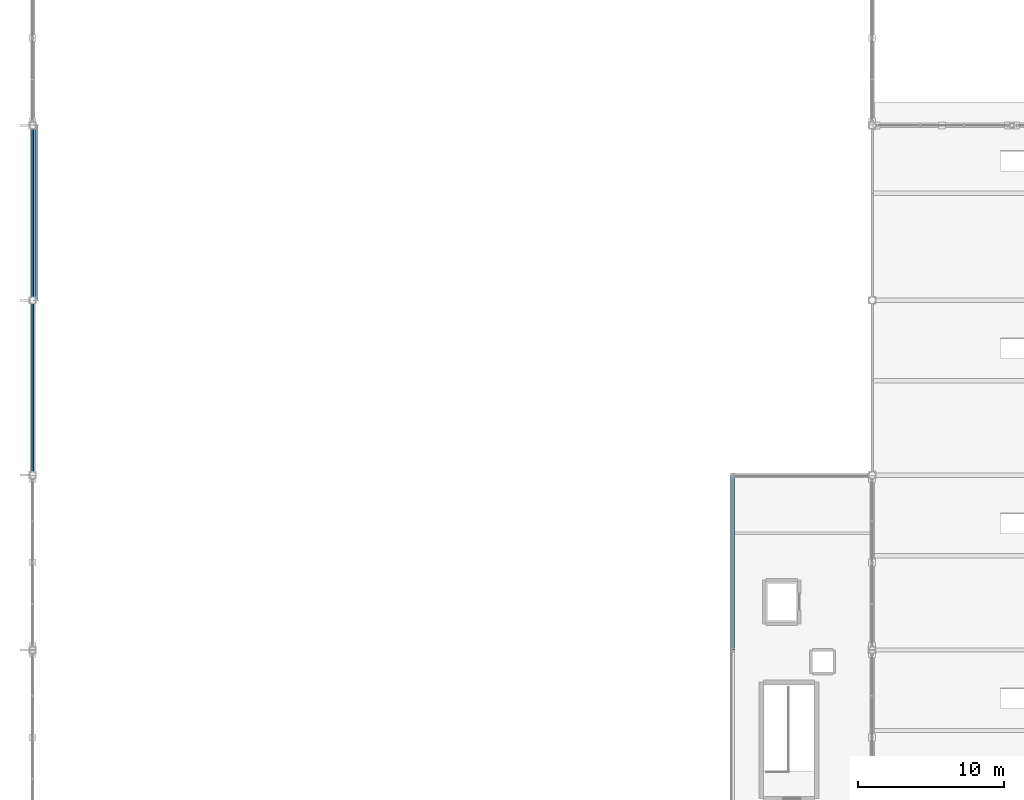
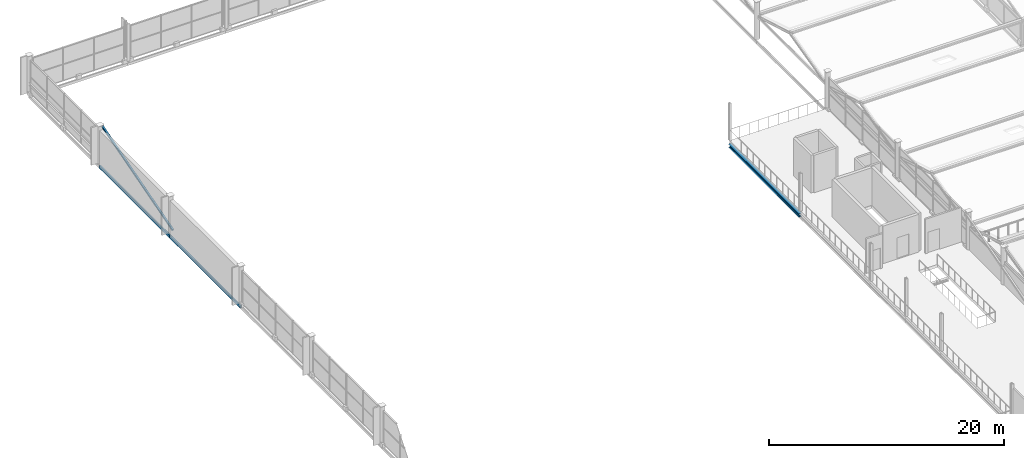
# One storey, part 53 of 117: 3 beams, 1 member.
"""IFC4 building model written with IfcOpenShell, lengths in metres."""

import ifcopenshell
import ifcopenshell.guid

model = None  # the IFC model being written
_history = None  # IfcOwnerHistory: only IFC2X3 demands one
_inside = {}  # id of a spatial element -> (the spatial element, [elements in it])
_under = {}  # id of a project, library or spatial element -> (it, [spatial elements below it])
_declared = {}  # id of a project -> (the project, [libraries it declares])
_typed = {}  # id of a type object -> (the type object, [elements of that type])
_made_of = {}  # id of a material, layer set ... -> (it, [elements and type objects made of it])


def new_model(schema):
    """Start an empty IFC model of exactly this schema.

    Asked for "IFC4X3", IfcOpenShell would pick the latest addendum, in which some entities
    have other attributes; the version numbers below select the first issue.
    IFC2X3 requires an IfcOwnerHistory on every rooted entity: one is made here for all.
    """
    global model, _history
    if schema == "IFC4X3":
        model = ifcopenshell.file(schema_version=(4, 3, 0, 0))
    else:
        model = ifcopenshell.file(schema=schema)
    _inside.clear()
    _under.clear()
    _declared.clear()
    _typed.clear()
    _made_of.clear()
    _history = None
    if model.schema == "IFC2X3":
        org = make("IfcOrganization", Name="unknown")
        user = make(
            "IfcPersonAndOrganization",
            ThePerson=make("IfcPerson", FamilyName="unknown"),
            TheOrganization=org,
        )
        app = make(
            "IfcApplication",
            ApplicationDeveloper=org,
            Version="unknown",
            ApplicationFullName="unknown",
            ApplicationIdentifier="unknown",
        )
        _history = make(
            "IfcOwnerHistory",
            OwningUser=user,
            OwningApplication=app,
            ChangeAction="ADDED",
            CreationDate=0,
        )
    return model


def make(cls, **values):
    """One entity of the class cls with the attributes given. An attribute that is None is left unset."""
    return model.create_entity(
        cls, **{name: value for name, value in values.items() if value is not None}
    )


def rooted(cls, **values):
    """An entity with a GlobalId (a new one), such as an element, a storey or a relation."""
    return make(cls, GlobalId=ifcopenshell.guid.new(), OwnerHistory=_history, **values)


def si_unit(unit_type, name, prefix=None):
    """IfcSIUnit, for example si_unit("LENGTHUNIT", "METRE", prefix="MILLI")."""
    return make("IfcSIUnit", UnitType=unit_type, Prefix=prefix, Name=name)


def assignment(units):
    """IfcUnitAssignment: the units of a project."""
    return None if units is None else make("IfcUnitAssignment", Units=units)


def point(xyz):
    """IfcCartesianPoint."""
    return None if xyz is None else make("IfcCartesianPoint", Coordinates=xyz)


def direction(xyz):
    """IfcDirection."""
    return None if xyz is None else make("IfcDirection", DirectionRatios=xyz)


def frame(location, z_axis=None, x_axis=None):
    """IfcAxis2Placement3D, a coordinate frame: its origin and axes. An axis left out is left unset."""
    return make(
        "IfcAxis2Placement3D",
        Location=point(location),
        Axis=direction(z_axis),
        RefDirection=direction(x_axis),
    )


def frame_2d(location, x_axis=None):
    """IfcAxis2Placement2D, a coordinate frame in the plane: its origin and x axis."""
    return make(
        "IfcAxis2Placement2D", Location=point(location), RefDirection=direction(x_axis)
    )


def origin():
    """The frame at (0, 0, 0) with its axes left unset."""
    return frame((0.0, 0.0, 0.0))


def origin_2d():
    """The frame at (0, 0) in the plane with its x axis left unset."""
    return frame_2d((0.0, 0.0))


def place(relative_to, where):
    """IfcLocalPlacement: puts the frame where relative to a parent placement (None: the world)."""
    return make(
        "IfcLocalPlacement", PlacementRelTo=relative_to, RelativePlacement=where
    )


def context(
    kind, dimensions, precision=None, world=None, true_north=None, identifier=None
):
    """IfcGeometricRepresentationContext, for example the 3D "Model" context."""
    return make(
        "IfcGeometricRepresentationContext",
        ContextIdentifier=identifier,
        ContextType=kind,
        CoordinateSpaceDimension=dimensions,
        Precision=precision,
        WorldCoordinateSystem=world,
        TrueNorth=true_north,
    )


def subcontext(parent, identifier, kind, view, scale=None):
    """IfcGeometricRepresentationSubContext, for example "Body" below "Model"."""
    return make(
        "IfcGeometricRepresentationSubContext",
        ContextIdentifier=identifier,
        ContextType=kind,
        ParentContext=parent,
        TargetScale=scale,
        TargetView=view,
    )


def project(units=None, contexts=None):
    """IfcProject with its units and contexts."""
    return rooted(
        "IfcProject",
        Name="project",
        RepresentationContexts=contexts,
        UnitsInContext=assignment(units),
    )


def spatial(cls, under=None, at=None, **own):
    """A site, building, storey or space (cls), placed at a placement, below another one or the project."""
    s = rooted(cls, ObjectPlacement=at, **own)
    if under is not None:
        _under.setdefault(under.id(), (under, []))[1].append(s)
    return s


def profile(cls, at=None, kind="AREA", **sizes):
    """A parametric profile (cls). Its sizes go by their IFC names, for example OverallWidth=200.0."""
    return make(cls, ProfileType=kind, Position=at, **sizes)


def hollow_rectangle(**sizes):
    """IfcRectangleHollowProfileDef."""
    return profile("IfcRectangleHollowProfileDef", **sizes)


def i_section(**sizes):
    """IfcIShapeProfileDef."""
    return profile("IfcIShapeProfileDef", **sizes)


def extrude(swept, where, along, depth):
    """IfcExtrudedAreaSolid: the profile swept, set in the frame where, extruded along a direction by depth."""
    return make(
        "IfcExtrudedAreaSolid",
        SweptArea=swept,
        Position=where,
        ExtrudedDirection=direction(along),
        Depth=depth,
    )


def shape(context_of_items, identifier, shape_type, items):
    """IfcShapeRepresentation: the items that make up one representation, for example the "Body"."""
    return make(
        "IfcShapeRepresentation",
        ContextOfItems=context_of_items,
        RepresentationIdentifier=identifier,
        RepresentationType=shape_type,
        Items=items,
    )


def material(Name=None, Category=None):
    """IfcMaterial."""
    return make("IfcMaterial", Name=Name, Category=Category)


def material_profile(
    of_material, cross_section, Name=None, Category=None, Priority=None
):
    """IfcMaterialProfile: a cross section and its material."""
    return make(
        "IfcMaterialProfile",
        Name=Name,
        Material=of_material,
        Profile=cross_section,
        Priority=Priority,
        Category=Category,
    )


def profile_set(profiles, Name=None, composite=None):
    """IfcMaterialProfileSet."""
    return make(
        "IfcMaterialProfileSet",
        Name=Name,
        MaterialProfiles=profiles,
        CompositeProfile=composite,
    )


def made_of(thing, what):
    """Note that an element or type object is made of a material, layer set ...; save() writes the relation."""
    if what is not None:
        _made_of.setdefault(what.id(), (what, []))[1].append(thing)
    return thing


def type_object(cls, material=None, **own):
    """A type object (cls), such as IfcWallType, which elements share."""
    return made_of(rooted(cls, **own), material)


def element(
    cls,
    number,
    at=None,
    inside=None,
    cuts=None,
    type_object=None,
    material=None,
    context=None,
    identifier="Body",
    shape_type=None,
    held_by="IfcProductDefinitionShape",
    body=None,
    shapes=None,
    **own,
):
    """One element of the class cls, such as IfcWall. Its Tag is "e" and its number.

    at: its placement. inside: the storey or other place that contains it. cuts: it is an
    opening in that element (IfcRelVoidsElement). A single representation is given by context,
    identifier, shape_type and body (its items); several are given by shapes. held_by: the class
    of the entity that holds the representations. save() writes the other relations.
    """
    e = rooted(cls, Tag="e%d" % number, ObjectPlacement=at, **own)
    if body is not None:
        shapes = [shape(context, identifier, shape_type, body)]
    if shapes is not None:
        e.Representation = make(held_by, Representations=shapes)
    if inside is not None:
        _inside.setdefault(inside.id(), (inside, []))[1].append(e)
    if cuts is not None:
        rooted(
            "IfcRelVoidsElement", RelatingBuildingElement=cuts, RelatedOpeningElement=e
        )
    if type_object is not None:
        _typed.setdefault(type_object.id(), (type_object, []))[1].append(e)
    return made_of(e, material)


def aggregate(whole, parts):
    """IfcRelAggregates: a whole, such as a stair, and the parts it consists of."""
    return rooted("IfcRelAggregates", RelatingObject=whole, RelatedObjects=parts)


def save(model, path):
    """Write the relations noted so far, then the file.

    IfcRelAggregates (storeys below a building ...), IfcRelContainedInSpatialStructure (elements
    in a storey), IfcRelDefinesByType, IfcRelAssociatesMaterial and IfcRelDeclares: one each for
    every whole, place, type object, material and project.
    """
    for whole, parts in _under.values():
        aggregate(whole, parts)
    for where, things in _inside.values():
        rooted(
            "IfcRelContainedInSpatialStructure",
            RelatedElements=things,
            RelatingStructure=where,
        )
    for kind, things in _typed.values():
        rooted("IfcRelDefinesByType", RelatedObjects=things, RelatingType=kind)
    for what, things in _made_of.values():
        rooted("IfcRelAssociatesMaterial", RelatedObjects=things, RelatingMaterial=what)
    for by, libraries in _declared.values():
        rooted("IfcRelDeclares", RelatingContext=by, RelatedDefinitions=libraries)
    model.write(path)


model = new_model("IFC4")

# Units and contexts
model_context = context("Model", 3, precision=1e-05, world=origin(), true_north=direction((0.0, 1.0)))
body_context = subcontext(model_context, "Body", "Model", "MODEL_VIEW")
ifc_project = project(units=[si_unit("LENGTHUNIT", "METRE"), si_unit("AREAUNIT", "SQUARE_METRE"), si_unit("VOLUMEUNIT", "CUBIC_METRE"), si_unit("PLANEANGLEUNIT", "RADIAN"), si_unit("MASSUNIT", "GRAM", prefix="KILO")], contexts=[model_context])

# Site, building, storey
site_placement = place(None, origin())
site = spatial("IfcSite", under=ifc_project, at=site_placement, CompositionType="ELEMENT")
building_placement = place(site_placement, origin())
building = spatial("IfcBuilding", under=site, at=building_placement, Name="Merenkruunu Market Hall", CompositionType="ELEMENT")
storey_placement = place(building_placement, frame((0.0, 0.0, 10.199951171875)))
storey = spatial("IfcBuildingStorey", under=building, at=storey_placement, Name="L02", CompositionType="ELEMENT", Elevation=10.199951171875)

# Member
ifc_material = material(Name="Steel S355J2", Category="steel")
ifc_material_profile_1 = material_profile(ifc_material, hollow_rectangle(XDim=0.179931640625, YDim=0.179931640625, WallThickness=0.010009765625, InnerFilletRadius=0.010009765625, OuterFilletRadius=0.02001953125, at=origin_2d()), Name="SHS 180x180x10")
ifc_profile_set_1 = profile_set([ifc_material_profile_1], Name="Steel S355J2")
member_type = type_object("IfcMemberType", Name="Diagonal Sway Brace BR05", PredefinedType="BRACE", material=ifc_profile_set_1)
member_placement = place(storey_placement, frame((0.239990234375, 87.60009765625, 0.150146484375), z_axis=(0.0, 0.96, 0.28), x_axis=(-1.0, 0.0, 0.0)))
element("IfcMember", 1, at=member_placement, inside=storey, type_object=member_type, Name="MEM-CBF11", PredefinedType="BRACE", context=body_context, shape_type="SweptSolid", body=[
    extrude(hollow_rectangle(XDim=0.179931640625, YDim=0.179931640625, WallThickness=0.010009765625, InnerFilletRadius=0.010009765625, OuterFilletRadius=0.02001953125, at=origin_2d()), origin(), (0.0, 0.0, 1.0), 12.5),
])

# Beams
ifc_material_profile_2 = material_profile(ifc_material, hollow_rectangle(XDim=0.14990234375, YDim=0.300048828125, WallThickness=0.012451171875, InnerFilletRadius=0.012451171875, OuterFilletRadius=0.02490234375, at=origin_2d()), Name="RHS 300x150x12.5")
ifc_profile_set_2 = profile_set([ifc_material_profile_2], Name="Steel S355J2")
beam_type_1 = type_object("IfcBeamType", Name="Perimeter Spandrel Beam SP03", PredefinedType="SPANDREL", material=ifc_profile_set_2)
for number, where, z_axis, x_axis, name in (
    (2, (0.0, 75.60009765625, -0.4599609375), (0.0, 1.0, 0.0), (-1.0, 0.0, 0.0), "BM-L02-SP03-1228"),
    (3, (0.0, 87.60009765625, -0.4599609375), (0.0, 1.0, 0.0), (-1.0, 0.0, 0.0), "BM-L02-SP03-1231"),
):
    element("IfcBeam", number, at=place(storey_placement, frame(where, z_axis=z_axis, x_axis=x_axis)), inside=storey, type_object=beam_type_1, Name=name, PredefinedType="SPANDREL", context=body_context, shape_type="SweptSolid", body=[
        extrude(hollow_rectangle(XDim=0.14990234375, YDim=0.300048828125, WallThickness=0.012451171875, InnerFilletRadius=0.012451171875, OuterFilletRadius=0.02490234375, at=origin_2d()), origin(), (0.0, 0.0, 1.0), 12.0),
    ])
ifc_material_profile_3 = material_profile(ifc_material, i_section(OverallWidth=0.300048828125, OverallDepth=0.35009765625, WebThickness=0.010009765625, FlangeThickness=0.017578125, FilletRadius=0.027099609375, at=origin_2d()), Name="HEA 360")
ifc_profile_set_3 = profile_set([ifc_material_profile_3], Name="Steel S355J2")
beam_type_2 = type_object("IfcBeamType", Name="Primary Floor Girder B08", PredefinedType="BEAM", material=ifc_profile_set_3)
beam_placement = place(storey_placement, frame((48.0, 63.60009765625, -0.48486328125), z_axis=(0.0, 1.0, 0.0), x_axis=(-1.0, 0.0, 0.0)))
element("IfcBeam", 4, at=beam_placement, inside=storey, type_object=beam_type_2, Name="BM-L02-B08-0783", PredefinedType="BEAM", context=body_context, shape_type="SweptSolid", body=[
    extrude(i_section(OverallWidth=0.300048828125, OverallDepth=0.35009765625, WebThickness=0.010009765625, FlangeThickness=0.017578125, FilletRadius=0.027099609375, at=origin_2d()), origin(), (0.0, 0.0, 1.0), 12.0),
])

save(model, "model.ifc")
